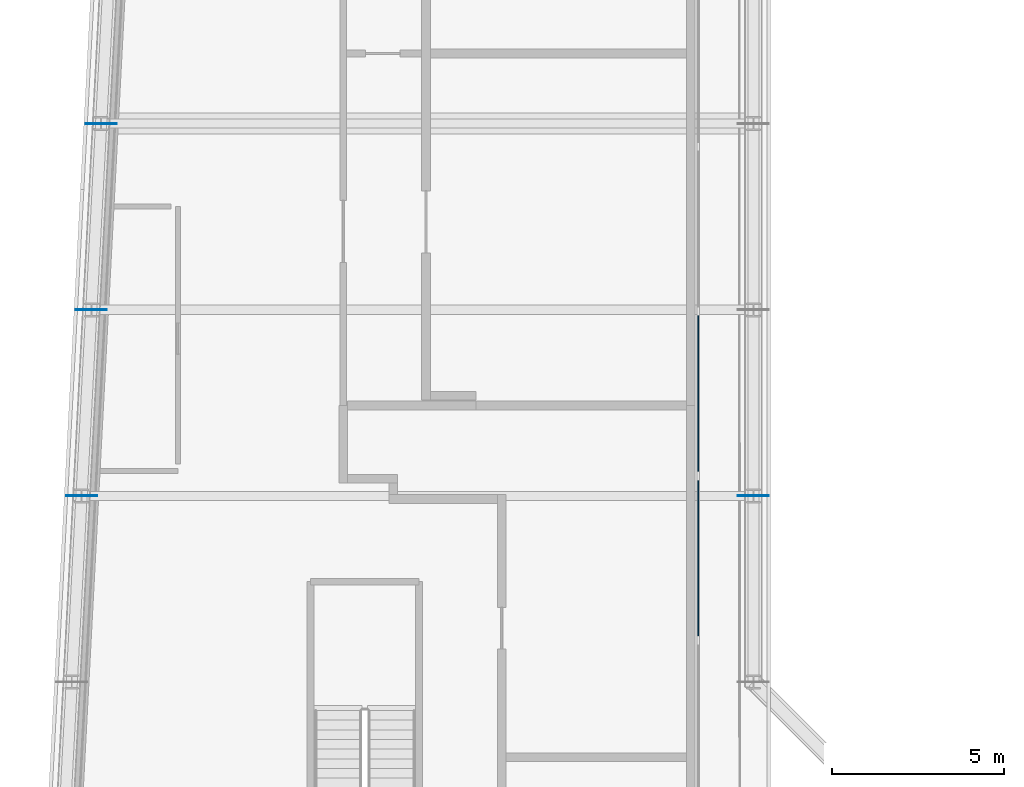
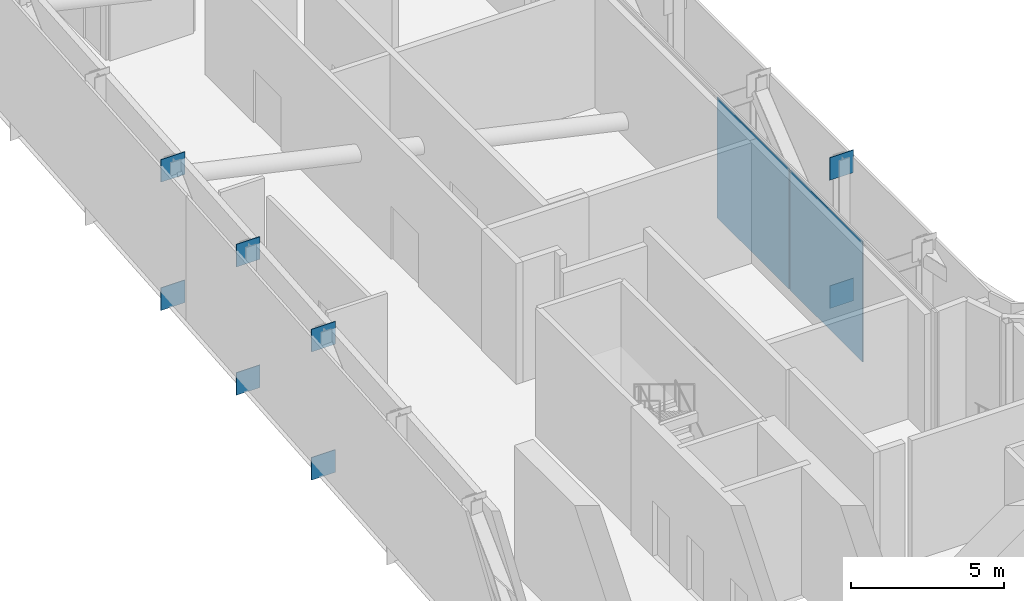
# One storey, part 10 of 23: 10 plates, 1 element without a shape of its own.
"""IFC4 building model written with IfcOpenShell, lengths in metres."""

from ifc_helpers import new_model, si_unit, direction, frame, origin, origin_2d, place, context, subcontext, project, spatial, rectangle, extrude, material, layer, layer_set, type_object, element, aggregate, save


model = new_model("IFC4")

# Units and contexts
model_context = context("Model", 3, precision=1e-05, world=origin(), true_north=direction((0.0, 1.0)))
body_context = subcontext(model_context, "Body", "Model", "MODEL_VIEW")
ifc_project = project(units=[si_unit("LENGTHUNIT", "METRE"), si_unit("AREAUNIT", "SQUARE_METRE"), si_unit("VOLUMEUNIT", "CUBIC_METRE"), si_unit("PLANEANGLEUNIT", "RADIAN"), si_unit("MASSUNIT", "GRAM", prefix="KILO")], contexts=[model_context])

# Site, building, storey
site_placement = place(None, origin())
site = spatial("IfcSite", under=ifc_project, at=site_placement, CompositionType="ELEMENT")
building_placement = place(site_placement, origin())
building = spatial("IfcBuilding", under=site, at=building_placement, Name="Kheshtan School and Residences Tower", CompositionType="ELEMENT")
storey_placement = place(building_placement, frame((0.0, 0.0, 211.10009765625)))
storey = spatial("IfcBuildingStorey", under=building, at=storey_placement, Name="L49", CompositionType="ELEMENT", Elevation=211.10009765625)

# Curtain wall, plates
ifc_material_1 = material(Name="Clear low-e glass in thermally broken aluminium frame", Category="aluminium")
ifc_layer_1 = layer(ifc_material_1, 0.25)
ifc_layer_set_1 = layer_set([ifc_layer_1], Name="Curtain wall CW-G")
curtain_wall_type = type_object("IfcCurtainWallType", Name="Curtain wall CW-G", PredefinedType="NOTDEFINED", material=ifc_layer_set_1)
curtain_wall_placement = place(storey_placement, origin())
curtain_wall = element("IfcCurtainWall", 1, at=curtain_wall_placement, inside=storey, type_object=curtain_wall_type, Name="Curtain wall CWG19a", PredefinedType="NOTDEFINED")
ifc_material_2 = material(Name="Insulated terracotta infill panel", Category="masonry")
ifc_layer_2 = layer(ifc_material_2, 0.0380859375)
ifc_layer_set_2 = layer_set([ifc_layer_2], Name="CW-G insulated infill panel")
plate_type_1 = type_object("IfcPlateType", Name="CW-G insulated infill panel", PredefinedType="CURTAIN_PANEL", material=ifc_layer_set_2)
plate_1_placement = place(storey_placement, frame((46.0, 59.364990234375, 0.0), z_axis=(0.0, 0.0, 1.0), x_axis=(0.0, -1.0, 0.0)))
plate_1 = element("IfcPlate", 2, at=plate_1_placement, type_object=plate_type_1, Name="CWG19a infill 3.1", PredefinedType="CURTAIN_PANEL", context=body_context, shape_type="SweptSolid", body=[
    extrude(rectangle(XDim=4.714111328125, YDim=0.0380859375, at=origin_2d()), origin(), (0.0, 0.0, 1.0), 4.7900390625),
])
plate_2_placement = place(storey_placement, frame((46.0, 54.591064453125, 0.0), z_axis=(0.0, 0.0, 1.0), x_axis=(0.0, -1.0, 0.0)))
plate_2 = element("IfcPlate", 3, at=plate_2_placement, type_object=plate_type_1, Name="CWG19a infill 4.1", PredefinedType="CURTAIN_PANEL", context=body_context, shape_type="SweptSolid", body=[
    extrude(rectangle(XDim=4.714111328125, YDim=0.0380859375, at=origin_2d()), origin(), (0.0, 0.0, 1.0), 4.7900390625),
])
aggregate(curtain_wall, [plate_1, plate_2])

# Plates
ifc_material_3 = material(Name="Steel ASTM A992 Grade 50", Category="steel")
ifc_layer_3 = layer(ifc_material_3, 0.02490234375)
ifc_layer_set_3 = layer_set([ifc_layer_3], Name="Gusset plate 25 Steel ASTM A992 Grade 50")
plate_type_2 = type_object("IfcPlateType", Name="Gusset plate 25 Steel ASTM A992 Grade 50", PredefinedType="SHEET", material=ifc_layer_set_3)
for number, where, z_axis, x_axis, name in (
    (4, (47.60009765625, 56.39990234375, 4.300048828125), (0.0, 0.0, 1.0), (1.0, 0.0, 0.0), "Gusset plate 12"),
    (5, (47.60009765625, 56.39990234375, -0.800048828125), (0.0, 0.0, 1.0), (1.0, 0.0, 0.0), "Gusset plate 13"),
    (6, (28.10595703125, 56.39990234375, 4.300048828125), (0.0, 0.0, 1.0), (1.0, 0.0, 0.0), "Gusset plate 62"),
    (7, (28.10595703125, 56.39990234375, -0.800048828125), (0.0, 0.0, 1.0), (1.0, 0.0, 0.0), "Gusset plate 63"),
    (8, (28.389892578125, 61.800048828125, 4.300048828125), (0.0, 0.0, 1.0), (1.0, 0.0, 0.0), "Gusset plate 64"),
    (9, (28.389892578125, 61.800048828125, -0.800048828125), (0.0, 0.0, 1.0), (1.0, 0.0, 0.0), "Gusset plate 65"),
    (10, (28.674072265625, 67.199951171875, 4.300048828125), (0.0, 0.0, 1.0), (1.0, 0.0, 0.0), "Gusset plate 66"),
    (11, (28.674072265625, 67.199951171875, -0.800048828125), (0.0, 0.0, 1.0), (1.0, 0.0, 0.0), "Gusset plate 67"),
):
    element("IfcPlate", number, at=place(storey_placement, frame(where, z_axis=z_axis, x_axis=x_axis)), inside=storey, type_object=plate_type_2, Name=name, PredefinedType="SHEET", context=body_context, shape_type="SweptSolid", body=[
        extrude(rectangle(XDim=0.89990234375, YDim=0.02490234375, at=origin_2d()), origin(), (0.0, 0.0, 1.0), 0.89990234375),
    ])

save(model, "model.ifc")
